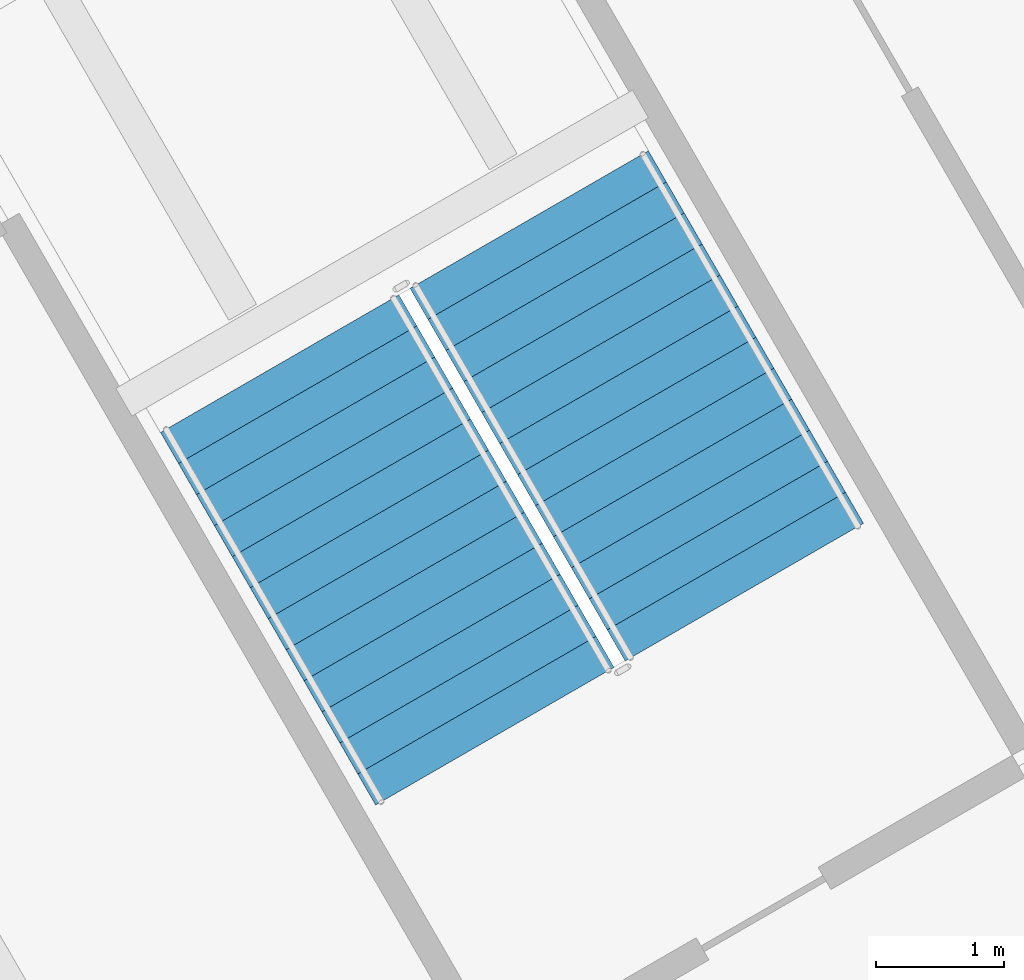
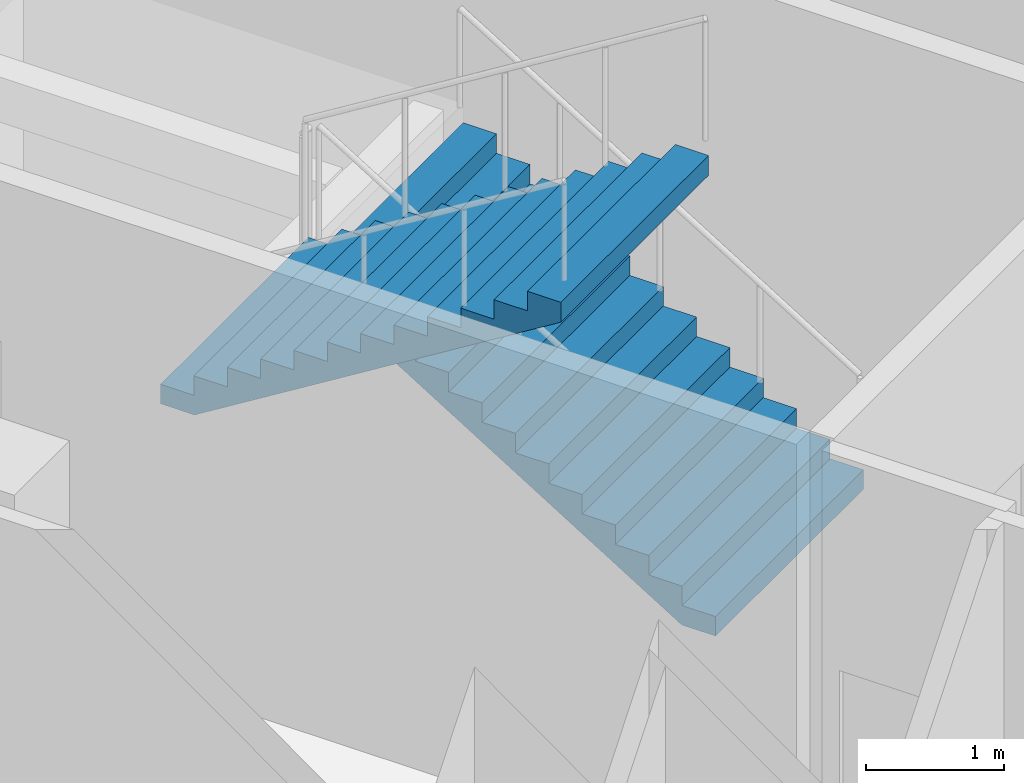
# One storey, part 8 of 20: 2 stair flights, 1 element without a shape of its own.
"""IFC4 building model written with IfcOpenShell, lengths in metres."""

from ifc_helpers import new_model, si_unit, direction, frame, origin, place, context, subcontext, project, spatial, triangles, material, type_object, element, aggregate, save


model = new_model("IFC4")

# Units and contexts
model_context = context("Model", 3, precision=1e-05, world=origin(), true_north=direction((0.0, 1.0)))
body_context = subcontext(model_context, "Body", "Model", "MODEL_VIEW")
ifc_project = project(units=[si_unit("LENGTHUNIT", "METRE"), si_unit("AREAUNIT", "SQUARE_METRE"), si_unit("VOLUMEUNIT", "CUBIC_METRE"), si_unit("PLANEANGLEUNIT", "RADIAN"), si_unit("MASSUNIT", "GRAM", prefix="KILO")], contexts=[model_context])

# Site, building, storey
site_placement = place(None, origin())
site = spatial("IfcSite", under=ifc_project, at=site_placement, CompositionType="ELEMENT")
building_placement = place(site_placement, origin())
building = spatial("IfcBuilding", under=site, at=building_placement, Name="Verdalira Terraces Hotel", CompositionType="ELEMENT")
storey_placement = place(building_placement, frame((0.0, 0.0, 23.5)))
storey = spatial("IfcBuildingStorey", under=building, at=storey_placement, Name="L04", CompositionType="ELEMENT", Elevation=23.5)

# Stair, stair flights
ifc_material_1 = material(Name="Concrete C40", Category="concrete")
stair_type = type_object("IfcStairType", Name="Podium stair 26 risers", PredefinedType="HALF_TURN_STAIR", material=ifc_material_1)
stair_placement = place(storey_placement, origin())
stair = element("IfcStair", 1, at=stair_placement, inside=storey, type_object=stair_type, Name="L04 Exit stair PS2", PredefinedType="HALF_TURN_STAIR")
ifc_material_2 = material(Name="Concrete C40", Category="concrete")
stair_flight_type = type_object("IfcStairFlightType", Name="Podium stair flight 26 risers", PredefinedType="STRAIGHT", material=ifc_material_2)
stair_flight_1_placement = place(storey_placement, frame((-27.056396, -16.487061, 0.0), z_axis=(0.0, 0.0, 1.0), x_axis=(-0.5, 0.866025404, 0.0)))
stair_flight_1 = element("IfcStairFlight", 2, at=stair_flight_1_placement, type_object=stair_flight_type, Name="PS2 flight 1", NumberOfRisers=13, NumberOfTreads=12, PredefinedType="STRAIGHT", RiserHeight=0.173076923, TreadLength=0.28, context=body_context, shape_type="Tessellation", body=[
    triangles([(0.0, 1.074951, 0.0), (0.285156, 1.074951, 0.0), (3.360107, 1.074951, 1.900635), (0.0, -1.074951, 0.0), (0.285156, -1.074951, 0.0), (3.360107, -1.074951, 1.900635), (3.360107, 1.074951, 2.076904), (3.080078, 1.074951, 2.076904), (3.360107, -1.074951, 2.076904), (3.080078, -1.074951, 2.076904), (3.080078, 1.074951, 1.903809), (3.080078, -1.074951, 1.903809), (2.800049, 1.074951, 1.903809), (2.800049, -1.074951, 1.903809), (2.800049, 1.074951, 1.730713), (2.800049, -1.074951, 1.730713), (2.52002, 1.074951, 1.730713), (2.52002, 1.074951, 1.557617), (2.52002, -1.074951, 1.730713), (2.52002, -1.074951, 1.557617), (2.23999, 1.074951, 1.557617), (2.23999, 1.074951, 1.384521), (2.23999, -1.074951, 1.557617), (2.23999, -1.074951, 1.384521), (1.959961, 1.074951, 1.384521), (1.959961, 1.074951, 1.211426), (1.959961, -1.074951, 1.384521), (1.959961, -1.074951, 1.211426), (1.679932, 1.074951, 1.211426), (1.679932, 1.074951, 1.038574), (1.679932, -1.074951, 1.211426), (1.679932, -1.074951, 1.038574), (1.399902, 1.074951, 1.038574), (1.399902, 1.074951, 0.865479), (1.399902, -1.074951, 1.038574), (1.399902, -1.074951, 0.865479), (1.120117, 1.074951, 0.865479), (1.120117, 1.074951, 0.692383), (1.120117, -1.074951, 0.865479), (1.120117, -1.074951, 0.692383), (0.840088, 1.074951, 0.692383), (0.840088, 1.074951, 0.519287), (0.840088, -1.074951, 0.692383), (0.840088, -1.074951, 0.519287), (0.560059, 1.074951, 0.519287), (0.560059, 1.074951, 0.346191), (0.560059, -1.074951, 0.519287), (0.560059, -1.074951, 0.346191), (0.280029, 1.074951, 0.346191), (0.280029, 1.074951, 0.173096), (0.280029, -1.074951, 0.346191), (0.280029, -1.074951, 0.173096), (0.0, 1.074951, 0.173096), (0.0, -1.074951, 0.173096), (0.0, -1.007767, 0.0), (0.0, -1.007767, 0.173096), (0.0, -0.940582, 0.0), (0.0, -0.940582, 0.173096), (0.0, -0.873398, 0.0), (0.0, -0.873398, 0.173096), (0.0, -0.806213, 0.0), (0.0, -0.806213, 0.173096), (0.0, -0.739029, 0.0), (0.0, -0.739029, 0.173096), (0.0, -0.671844, 0.0), (0.0, -0.671844, 0.173096), (0.0, -0.60466, 0.0), (0.0, -0.60466, 0.173096), (0.0, -0.537476, 0.0), (0.0, -0.537476, 0.173096), (0.0, -0.470291, 0.0), (0.0, -0.470291, 0.173096), (0.0, -0.403107, 0.0), (0.0, -0.403107, 0.173096), (0.0, -0.335922, 0.0), (0.0, -0.335922, 0.173096), (0.0, -0.268738, 0.0), (0.0, -0.268738, 0.173096), (0.0, -0.201553, 0.0), (0.0, -0.201553, 0.173096), (0.0, -0.134369, 0.0), (0.0, -0.134369, 0.173096), (0.0, -0.067184, 0.0), (0.0, -0.067184, 0.173096), (0.0, 0.0, 0.0), (0.0, 0.0, 0.173096), (0.0, 0.067184, 0.0), (0.0, 0.067184, 0.173096), (0.0, 0.134369, 0.0), (0.0, 0.134369, 0.173096), (0.0, 0.201553, 0.0), (0.0, 0.201553, 0.173096), (0.0, 0.268738, 0.0), (0.0, 0.268738, 0.173096), (0.0, 0.335922, 0.0), (0.0, 0.335922, 0.173096), (0.0, 0.403107, 0.0), (0.0, 0.403107, 0.173096), (0.0, 0.470291, 0.0), (0.0, 0.470291, 0.173096), (0.0, 0.537476, 0.0), (0.0, 0.537476, 0.173096), (0.0, 0.60466, 0.0), (0.0, 0.60466, 0.173096), (0.0, 0.671844, 0.0), (0.0, 0.671844, 0.173096), (0.0, 0.739029, 0.0), (0.0, 0.739029, 0.173096), (0.0, 0.806213, 0.0), (0.0, 0.806213, 0.173096), (0.0, 0.873398, 0.0), (0.0, 0.873398, 0.173096), (0.0, 0.940582, 0.0), (0.0, 0.940582, 0.173096), (0.0, 1.007767, 0.0), (0.0, 1.007767, 0.173096), (3.360107, -1.007767, 2.076904), (3.360107, -0.940582, 2.076904), (3.360107, -0.873398, 2.076904), (3.360107, -0.806213, 2.076904), (3.360107, -0.739029, 2.076904), (3.360107, -0.671844, 2.076904), (3.360107, -0.60466, 2.076904), (3.360107, -0.537476, 2.076904), (3.360107, -0.470291, 2.076904), (3.360107, -0.403107, 2.076904), (3.360107, -0.335922, 2.076904), (3.360107, -0.268738, 2.076904), (3.360107, -0.201553, 2.076904), (3.360107, -0.134369, 2.076904), (3.360107, -0.067184, 2.076904), (3.360107, 0.0, 2.076904), (3.360107, 0.067184, 2.076904), (3.360107, 0.134369, 2.076904), (3.360107, 0.201553, 2.076904), (3.360107, 0.268738, 2.076904), (3.360107, 0.335922, 2.076904), (3.360107, 0.403107, 2.076904), (3.360107, 0.470291, 2.076904), (3.360107, 0.537476, 2.076904), (3.360107, 0.60466, 2.076904), (3.360107, 0.671844, 2.076904), (3.360107, 0.739029, 2.076904), (3.360107, 0.806213, 2.076904), (3.360107, 0.873398, 2.076904), (3.360107, 0.940582, 2.076904), (3.360107, 1.007767, 2.076904), (3.360107, -1.007767, 1.900635), (3.360107, -0.940582, 1.900635), (3.360107, -0.873398, 1.900635), (3.360107, -0.806213, 1.900635), (3.360107, -0.739029, 1.900635), (3.360107, -0.671844, 1.900635), (3.360107, -0.60466, 1.900635), (3.360107, -0.537476, 1.900635), (3.360107, -0.470291, 1.900635), (3.360107, -0.403107, 1.900635), (3.360107, -0.335922, 1.900635), (3.360107, -0.268738, 1.900635), (3.360107, -0.201553, 1.900635), (3.360107, -0.134369, 1.900635), (3.360107, -0.067184, 1.900635), (3.360107, 0.0, 1.900635), (3.360107, 0.067184, 1.900635), (3.360107, 0.134369, 1.900635), (3.360107, 0.201553, 1.900635), (3.360107, 0.268738, 1.900635), (3.360107, 0.335922, 1.900635), (3.360107, 0.403107, 1.900635), (3.360107, 0.470291, 1.900635), (3.360107, 0.537476, 1.900635), (3.360107, 0.60466, 1.900635), (3.360107, 0.671844, 1.900635), (3.360107, 0.739029, 1.900635), (3.360107, 0.806213, 1.900635), (3.360107, 0.873398, 1.900635), (3.360107, 0.940582, 1.900635), (3.360107, 1.007767, 1.900635)], [[1, 3, 2], [4, 5, 6], [3, 8, 7], [6, 9, 10], [3, 11, 8], [6, 10, 12], [3, 13, 11], [6, 12, 14], [3, 15, 13], [6, 14, 16], [15, 18, 17], [16, 19, 20], [3, 18, 15], [6, 16, 20], [18, 22, 21], [20, 23, 24], [3, 22, 18], [6, 20, 24], [22, 26, 25], [24, 27, 28], [3, 26, 22], [6, 24, 28], [1, 26, 3], [4, 6, 28], [26, 30, 29], [28, 31, 32], [30, 34, 33], [32, 35, 36], [26, 34, 30], [28, 32, 36], [34, 38, 37], [36, 39, 40], [26, 38, 34], [28, 36, 40], [38, 42, 41], [40, 43, 44], [26, 42, 38], [28, 40, 44], [42, 46, 45], [44, 47, 48], [26, 46, 42], [28, 44, 48], [46, 50, 49], [48, 51, 52], [26, 50, 46], [28, 48, 52], [1, 50, 26], [4, 28, 52], [50, 1, 53], [52, 54, 4], [4, 56, 55], [4, 54, 56], [55, 58, 57], [55, 56, 58], [57, 60, 59], [57, 58, 60], [59, 62, 61], [59, 60, 62], [61, 64, 63], [61, 62, 64], [63, 66, 65], [63, 64, 66], [65, 68, 67], [65, 66, 68], [67, 70, 69], [67, 68, 70], [69, 72, 71], [69, 70, 72], [71, 74, 73], [71, 72, 74], [73, 76, 75], [73, 74, 76], [75, 78, 77], [75, 76, 78], [77, 80, 79], [77, 78, 80], [79, 82, 81], [79, 80, 82], [81, 84, 83], [81, 82, 84], [83, 86, 85], [83, 84, 86], [85, 88, 87], [85, 86, 88], [87, 90, 89], [87, 88, 90], [89, 92, 91], [89, 90, 92], [91, 94, 93], [91, 92, 94], [93, 96, 95], [93, 94, 96], [95, 98, 97], [95, 96, 98], [97, 100, 99], [97, 98, 100], [99, 102, 101], [99, 100, 102], [101, 104, 103], [101, 102, 104], [103, 106, 105], [103, 104, 106], [105, 108, 107], [105, 106, 108], [107, 110, 109], [107, 108, 110], [109, 112, 111], [109, 110, 112], [111, 114, 113], [111, 112, 114], [113, 116, 115], [113, 114, 116], [115, 53, 1], [115, 116, 53], [54, 52, 56], [56, 52, 58], [58, 52, 60], [60, 52, 62], [62, 52, 64], [64, 52, 66], [66, 52, 68], [68, 52, 70], [70, 52, 72], [72, 52, 74], [74, 52, 76], [76, 52, 78], [78, 52, 80], [80, 52, 82], [82, 52, 84], [84, 52, 86], [86, 52, 88], [88, 52, 90], [90, 52, 92], [92, 52, 94], [94, 52, 96], [96, 52, 98], [98, 52, 100], [100, 52, 102], [102, 52, 104], [104, 52, 106], [106, 52, 108], [108, 52, 110], [110, 52, 112], [112, 52, 114], [114, 52, 116], [116, 52, 53], [53, 52, 50], [52, 49, 50], [52, 51, 49], [51, 46, 49], [51, 48, 46], [48, 45, 46], [48, 47, 45], [47, 42, 45], [47, 44, 42], [44, 41, 42], [44, 43, 41], [43, 38, 41], [43, 40, 38], [40, 37, 38], [40, 39, 37], [39, 34, 37], [39, 36, 34], [36, 33, 34], [36, 35, 33], [35, 30, 33], [35, 32, 30], [32, 29, 30], [32, 31, 29], [31, 26, 29], [31, 28, 26], [28, 25, 26], [28, 27, 25], [27, 22, 25], [27, 24, 22], [24, 21, 22], [24, 23, 21], [23, 18, 21], [23, 20, 18], [20, 17, 18], [20, 19, 17], [19, 15, 17], [19, 16, 15], [16, 13, 15], [16, 14, 13], [14, 11, 13], [14, 12, 11], [12, 8, 11], [12, 10, 8], [9, 117, 10], [117, 118, 10], [118, 119, 10], [119, 120, 10], [120, 121, 10], [121, 122, 10], [122, 123, 10], [123, 124, 10], [124, 125, 10], [125, 126, 10], [126, 127, 10], [127, 128, 10], [128, 129, 10], [129, 130, 10], [130, 131, 10], [131, 132, 10], [132, 133, 10], [133, 134, 10], [134, 135, 10], [135, 136, 10], [136, 137, 10], [137, 138, 10], [138, 139, 10], [139, 140, 10], [140, 141, 10], [141, 142, 10], [142, 143, 10], [143, 144, 10], [144, 145, 10], [145, 146, 10], [146, 147, 10], [147, 7, 10], [7, 8, 10], [9, 148, 117], [9, 6, 148], [117, 149, 118], [117, 148, 149], [118, 150, 119], [118, 149, 150], [119, 151, 120], [119, 150, 151], [120, 152, 121], [120, 151, 152], [121, 153, 122], [121, 152, 153], [122, 154, 123], [122, 153, 154], [123, 155, 124], [123, 154, 155], [124, 156, 125], [124, 155, 156], [125, 157, 126], [125, 156, 157], [126, 158, 127], [126, 157, 158], [127, 159, 128], [127, 158, 159], [128, 160, 129], [128, 159, 160], [129, 161, 130], [129, 160, 161], [130, 162, 131], [130, 161, 162], [131, 163, 132], [131, 162, 163], [132, 164, 133], [132, 163, 164], [133, 165, 134], [133, 164, 165], [134, 166, 135], [134, 165, 166], [135, 167, 136], [135, 166, 167], [136, 168, 137], [136, 167, 168], [137, 169, 138], [137, 168, 169], [138, 170, 139], [138, 169, 170], [139, 171, 140], [139, 170, 171], [140, 172, 141], [140, 171, 172], [141, 173, 142], [141, 172, 173], [142, 174, 143], [142, 173, 174], [143, 175, 144], [143, 174, 175], [144, 176, 145], [144, 175, 176], [145, 177, 146], [145, 176, 177], [146, 178, 147], [146, 177, 178], [147, 3, 7], [147, 178, 3], [6, 5, 148], [148, 5, 149], [149, 5, 150], [150, 5, 151], [151, 5, 152], [152, 5, 153], [153, 5, 154], [154, 5, 155], [155, 5, 156], [156, 5, 157], [157, 5, 158], [158, 5, 159], [159, 5, 160], [160, 5, 161], [161, 5, 162], [162, 5, 163], [163, 5, 164], [164, 5, 165], [165, 5, 166], [166, 5, 167], [167, 5, 168], [168, 5, 169], [169, 5, 170], [170, 5, 171], [171, 5, 172], [172, 5, 173], [173, 5, 174], [174, 5, 175], [175, 5, 176], [176, 5, 177], [177, 5, 178], [178, 5, 3], [3, 5, 2], [4, 55, 5], [55, 57, 5], [57, 59, 5], [59, 61, 5], [61, 63, 5], [63, 65, 5], [65, 67, 5], [67, 69, 5], [69, 71, 5], [71, 73, 5], [73, 75, 5], [75, 77, 5], [77, 79, 5], [79, 81, 5], [81, 83, 5], [83, 85, 5], [85, 87, 5], [87, 89, 5], [89, 91, 5], [91, 93, 5], [93, 95, 5], [95, 97, 5], [97, 99, 5], [99, 101, 5], [101, 103, 5], [103, 105, 5], [105, 107, 5], [107, 109, 5], [109, 111, 5], [111, 113, 5], [113, 115, 5], [115, 1, 5], [1, 2, 5]], closed=True),
])
stair_flight_2_placement = place(storey_placement, frame((-30.684814, -14.702148, 2.25), z_axis=(0.0, 0.0, 1.0), x_axis=(0.5, -0.866025404, 0.0)))
stair_flight_2 = element("IfcStairFlight", 3, at=stair_flight_2_placement, type_object=stair_flight_type, Name="PS2 flight 2", NumberOfRisers=13, NumberOfTreads=12, PredefinedType="STRAIGHT", RiserHeight=0.173076923, TreadLength=0.28, context=body_context, shape_type="Tessellation", body=[
    triangles([(0.0, 1.074951, 0.0), (0.285156, 1.074951, 0.0), (3.360107, 1.074951, 1.900635), (0.0, -1.074951, 0.0), (0.285156, -1.074951, 0.0), (3.360107, -1.074951, 1.900635), (3.360107, 1.074951, 2.076904), (3.080078, 1.074951, 2.076904), (3.360107, -1.074951, 2.076904), (3.080078, -1.074951, 2.076904), (3.080078, 1.074951, 1.903809), (3.080078, -1.074951, 1.903809), (2.800049, 1.074951, 1.903809), (2.800049, -1.074951, 1.903809), (2.800049, 1.074951, 1.730713), (2.800049, -1.074951, 1.730713), (2.52002, 1.074951, 1.730713), (2.52002, 1.074951, 1.557617), (2.52002, -1.074951, 1.730713), (2.52002, -1.074951, 1.557617), (2.23999, 1.074951, 1.557617), (2.23999, 1.074951, 1.384521), (2.23999, -1.074951, 1.557617), (2.23999, -1.074951, 1.384521), (1.959961, 1.074951, 1.384521), (1.959961, 1.074951, 1.211426), (1.959961, -1.074951, 1.384521), (1.959961, -1.074951, 1.211426), (1.679932, 1.074951, 1.211426), (1.679932, 1.074951, 1.038574), (1.679932, -1.074951, 1.211426), (1.679932, -1.074951, 1.038574), (1.399902, 1.074951, 1.038574), (1.399902, 1.074951, 0.865479), (1.399902, -1.074951, 1.038574), (1.399902, -1.074951, 0.865479), (1.120117, 1.074951, 0.865479), (1.120117, 1.074951, 0.692383), (1.120117, -1.074951, 0.865479), (1.120117, -1.074951, 0.692383), (0.840088, 1.074951, 0.692383), (0.840088, 1.074951, 0.519287), (0.840088, -1.074951, 0.692383), (0.840088, -1.074951, 0.519287), (0.560059, 1.074951, 0.519287), (0.560059, 1.074951, 0.346191), (0.560059, -1.074951, 0.519287), (0.560059, -1.074951, 0.346191), (0.280029, 1.074951, 0.346191), (0.280029, 1.074951, 0.173096), (0.280029, -1.074951, 0.346191), (0.280029, -1.074951, 0.173096), (0.0, 1.074951, 0.173096), (0.0, -1.074951, 0.173096), (0.0, -1.007767, 0.0), (0.0, -1.007767, 0.173096), (0.0, -0.940582, 0.0), (0.0, -0.940582, 0.173096), (0.0, -0.873398, 0.0), (0.0, -0.873398, 0.173096), (0.0, -0.806213, 0.0), (0.0, -0.806213, 0.173096), (0.0, -0.739029, 0.0), (0.0, -0.739029, 0.173096), (0.0, -0.671844, 0.0), (0.0, -0.671844, 0.173096), (0.0, -0.60466, 0.0), (0.0, -0.60466, 0.173096), (0.0, -0.537476, 0.0), (0.0, -0.537476, 0.173096), (0.0, -0.470291, 0.0), (0.0, -0.470291, 0.173096), (0.0, -0.403107, 0.0), (0.0, -0.403107, 0.173096), (0.0, -0.335922, 0.0), (0.0, -0.335922, 0.173096), (0.0, -0.268738, 0.0), (0.0, -0.268738, 0.173096), (0.0, -0.201553, 0.0), (0.0, -0.201553, 0.173096), (0.0, -0.134369, 0.0), (0.0, -0.134369, 0.173096), (0.0, -0.067184, 0.0), (0.0, -0.067184, 0.173096), (0.0, 0.0, 0.0), (0.0, 0.0, 0.173096), (0.0, 0.067184, 0.0), (0.0, 0.067184, 0.173096), (0.0, 0.134369, 0.0), (0.0, 0.134369, 0.173096), (0.0, 0.201553, 0.0), (0.0, 0.201553, 0.173096), (0.0, 0.268738, 0.0), (0.0, 0.268738, 0.173096), (0.0, 0.335922, 0.0), (0.0, 0.335922, 0.173096), (0.0, 0.403107, 0.0), (0.0, 0.403107, 0.173096), (0.0, 0.470291, 0.0), (0.0, 0.470291, 0.173096), (0.0, 0.537476, 0.0), (0.0, 0.537476, 0.173096), (0.0, 0.60466, 0.0), (0.0, 0.60466, 0.173096), (0.0, 0.671844, 0.0), (0.0, 0.671844, 0.173096), (0.0, 0.739029, 0.0), (0.0, 0.739029, 0.173096), (0.0, 0.806213, 0.0), (0.0, 0.806213, 0.173096), (0.0, 0.873398, 0.0), (0.0, 0.873398, 0.173096), (0.0, 0.940582, 0.0), (0.0, 0.940582, 0.173096), (0.0, 1.007767, 0.0), (0.0, 1.007767, 0.173096), (3.360107, -1.007767, 2.076904), (3.360107, -0.940582, 2.076904), (3.360107, -0.873398, 2.076904), (3.360107, -0.806213, 2.076904), (3.360107, -0.739029, 2.076904), (3.360107, -0.671844, 2.076904), (3.360107, -0.60466, 2.076904), (3.360107, -0.537476, 2.076904), (3.360107, -0.470291, 2.076904), (3.360107, -0.403107, 2.076904), (3.360107, -0.335922, 2.076904), (3.360107, -0.268738, 2.076904), (3.360107, -0.201553, 2.076904), (3.360107, -0.134369, 2.076904), (3.360107, -0.067184, 2.076904), (3.360107, 0.0, 2.076904), (3.360107, 0.067184, 2.076904), (3.360107, 0.134369, 2.076904), (3.360107, 0.201553, 2.076904), (3.360107, 0.268738, 2.076904), (3.360107, 0.335922, 2.076904), (3.360107, 0.403107, 2.076904), (3.360107, 0.470291, 2.076904), (3.360107, 0.537476, 2.076904), (3.360107, 0.60466, 2.076904), (3.360107, 0.671844, 2.076904), (3.360107, 0.739029, 2.076904), (3.360107, 0.806213, 2.076904), (3.360107, 0.873398, 2.076904), (3.360107, 0.940582, 2.076904), (3.360107, 1.007767, 2.076904), (3.360107, -1.007767, 1.900635), (3.360107, -0.940582, 1.900635), (3.360107, -0.873398, 1.900635), (3.360107, -0.806213, 1.900635), (3.360107, -0.739029, 1.900635), (3.360107, -0.671844, 1.900635), (3.360107, -0.60466, 1.900635), (3.360107, -0.537476, 1.900635), (3.360107, -0.470291, 1.900635), (3.360107, -0.403107, 1.900635), (3.360107, -0.335922, 1.900635), (3.360107, -0.268738, 1.900635), (3.360107, -0.201553, 1.900635), (3.360107, -0.134369, 1.900635), (3.360107, -0.067184, 1.900635), (3.360107, 0.0, 1.900635), (3.360107, 0.067184, 1.900635), (3.360107, 0.134369, 1.900635), (3.360107, 0.201553, 1.900635), (3.360107, 0.268738, 1.900635), (3.360107, 0.335922, 1.900635), (3.360107, 0.403107, 1.900635), (3.360107, 0.470291, 1.900635), (3.360107, 0.537476, 1.900635), (3.360107, 0.60466, 1.900635), (3.360107, 0.671844, 1.900635), (3.360107, 0.739029, 1.900635), (3.360107, 0.806213, 1.900635), (3.360107, 0.873398, 1.900635), (3.360107, 0.940582, 1.900635), (3.360107, 1.007767, 1.900635)], [[1, 3, 2], [4, 5, 6], [3, 8, 7], [6, 9, 10], [3, 11, 8], [6, 10, 12], [3, 13, 11], [6, 12, 14], [3, 15, 13], [6, 14, 16], [15, 18, 17], [16, 19, 20], [3, 18, 15], [6, 16, 20], [18, 22, 21], [20, 23, 24], [3, 22, 18], [6, 20, 24], [22, 26, 25], [24, 27, 28], [3, 26, 22], [6, 24, 28], [1, 26, 3], [4, 6, 28], [26, 30, 29], [28, 31, 32], [30, 34, 33], [32, 35, 36], [26, 34, 30], [28, 32, 36], [34, 38, 37], [36, 39, 40], [26, 38, 34], [28, 36, 40], [38, 42, 41], [40, 43, 44], [26, 42, 38], [28, 40, 44], [42, 46, 45], [44, 47, 48], [26, 46, 42], [28, 44, 48], [46, 50, 49], [48, 51, 52], [26, 50, 46], [28, 48, 52], [1, 50, 26], [4, 28, 52], [50, 1, 53], [52, 54, 4], [4, 56, 55], [4, 54, 56], [55, 58, 57], [55, 56, 58], [57, 60, 59], [57, 58, 60], [59, 62, 61], [59, 60, 62], [61, 64, 63], [61, 62, 64], [63, 66, 65], [63, 64, 66], [65, 68, 67], [65, 66, 68], [67, 70, 69], [67, 68, 70], [69, 72, 71], [69, 70, 72], [71, 74, 73], [71, 72, 74], [73, 76, 75], [73, 74, 76], [75, 78, 77], [75, 76, 78], [77, 80, 79], [77, 78, 80], [79, 82, 81], [79, 80, 82], [81, 84, 83], [81, 82, 84], [83, 86, 85], [83, 84, 86], [85, 88, 87], [85, 86, 88], [87, 90, 89], [87, 88, 90], [89, 92, 91], [89, 90, 92], [91, 94, 93], [91, 92, 94], [93, 96, 95], [93, 94, 96], [95, 98, 97], [95, 96, 98], [97, 100, 99], [97, 98, 100], [99, 102, 101], [99, 100, 102], [101, 104, 103], [101, 102, 104], [103, 106, 105], [103, 104, 106], [105, 108, 107], [105, 106, 108], [107, 110, 109], [107, 108, 110], [109, 112, 111], [109, 110, 112], [111, 114, 113], [111, 112, 114], [113, 116, 115], [113, 114, 116], [115, 53, 1], [115, 116, 53], [54, 52, 56], [56, 52, 58], [58, 52, 60], [60, 52, 62], [62, 52, 64], [64, 52, 66], [66, 52, 68], [68, 52, 70], [70, 52, 72], [72, 52, 74], [74, 52, 76], [76, 52, 78], [78, 52, 80], [80, 52, 82], [82, 52, 84], [84, 52, 86], [86, 52, 88], [88, 52, 90], [90, 52, 92], [92, 52, 94], [94, 52, 96], [96, 52, 98], [98, 52, 100], [100, 52, 102], [102, 52, 104], [104, 52, 106], [106, 52, 108], [108, 52, 110], [110, 52, 112], [112, 52, 114], [114, 52, 116], [116, 52, 53], [53, 52, 50], [52, 49, 50], [52, 51, 49], [51, 46, 49], [51, 48, 46], [48, 45, 46], [48, 47, 45], [47, 42, 45], [47, 44, 42], [44, 41, 42], [44, 43, 41], [43, 38, 41], [43, 40, 38], [40, 37, 38], [40, 39, 37], [39, 34, 37], [39, 36, 34], [36, 33, 34], [36, 35, 33], [35, 30, 33], [35, 32, 30], [32, 29, 30], [32, 31, 29], [31, 26, 29], [31, 28, 26], [28, 25, 26], [28, 27, 25], [27, 22, 25], [27, 24, 22], [24, 21, 22], [24, 23, 21], [23, 18, 21], [23, 20, 18], [20, 17, 18], [20, 19, 17], [19, 15, 17], [19, 16, 15], [16, 13, 15], [16, 14, 13], [14, 11, 13], [14, 12, 11], [12, 8, 11], [12, 10, 8], [9, 117, 10], [117, 118, 10], [118, 119, 10], [119, 120, 10], [120, 121, 10], [121, 122, 10], [122, 123, 10], [123, 124, 10], [124, 125, 10], [125, 126, 10], [126, 127, 10], [127, 128, 10], [128, 129, 10], [129, 130, 10], [130, 131, 10], [131, 132, 10], [132, 133, 10], [133, 134, 10], [134, 135, 10], [135, 136, 10], [136, 137, 10], [137, 138, 10], [138, 139, 10], [139, 140, 10], [140, 141, 10], [141, 142, 10], [142, 143, 10], [143, 144, 10], [144, 145, 10], [145, 146, 10], [146, 147, 10], [147, 7, 10], [7, 8, 10], [9, 148, 117], [9, 6, 148], [117, 149, 118], [117, 148, 149], [118, 150, 119], [118, 149, 150], [119, 151, 120], [119, 150, 151], [120, 152, 121], [120, 151, 152], [121, 153, 122], [121, 152, 153], [122, 154, 123], [122, 153, 154], [123, 155, 124], [123, 154, 155], [124, 156, 125], [124, 155, 156], [125, 157, 126], [125, 156, 157], [126, 158, 127], [126, 157, 158], [127, 159, 128], [127, 158, 159], [128, 160, 129], [128, 159, 160], [129, 161, 130], [129, 160, 161], [130, 162, 131], [130, 161, 162], [131, 163, 132], [131, 162, 163], [132, 164, 133], [132, 163, 164], [133, 165, 134], [133, 164, 165], [134, 166, 135], [134, 165, 166], [135, 167, 136], [135, 166, 167], [136, 168, 137], [136, 167, 168], [137, 169, 138], [137, 168, 169], [138, 170, 139], [138, 169, 170], [139, 171, 140], [139, 170, 171], [140, 172, 141], [140, 171, 172], [141, 173, 142], [141, 172, 173], [142, 174, 143], [142, 173, 174], [143, 175, 144], [143, 174, 175], [144, 176, 145], [144, 175, 176], [145, 177, 146], [145, 176, 177], [146, 178, 147], [146, 177, 178], [147, 3, 7], [147, 178, 3], [6, 5, 148], [148, 5, 149], [149, 5, 150], [150, 5, 151], [151, 5, 152], [152, 5, 153], [153, 5, 154], [154, 5, 155], [155, 5, 156], [156, 5, 157], [157, 5, 158], [158, 5, 159], [159, 5, 160], [160, 5, 161], [161, 5, 162], [162, 5, 163], [163, 5, 164], [164, 5, 165], [165, 5, 166], [166, 5, 167], [167, 5, 168], [168, 5, 169], [169, 5, 170], [170, 5, 171], [171, 5, 172], [172, 5, 173], [173, 5, 174], [174, 5, 175], [175, 5, 176], [176, 5, 177], [177, 5, 178], [178, 5, 3], [3, 5, 2], [4, 55, 5], [55, 57, 5], [57, 59, 5], [59, 61, 5], [61, 63, 5], [63, 65, 5], [65, 67, 5], [67, 69, 5], [69, 71, 5], [71, 73, 5], [73, 75, 5], [75, 77, 5], [77, 79, 5], [79, 81, 5], [81, 83, 5], [83, 85, 5], [85, 87, 5], [87, 89, 5], [89, 91, 5], [91, 93, 5], [93, 95, 5], [95, 97, 5], [97, 99, 5], [99, 101, 5], [101, 103, 5], [103, 105, 5], [105, 107, 5], [107, 109, 5], [109, 111, 5], [111, 113, 5], [113, 115, 5], [115, 1, 5], [1, 2, 5]], closed=True),
])
aggregate(stair, [stair_flight_1, stair_flight_2])

save(model, "model.ifc")
